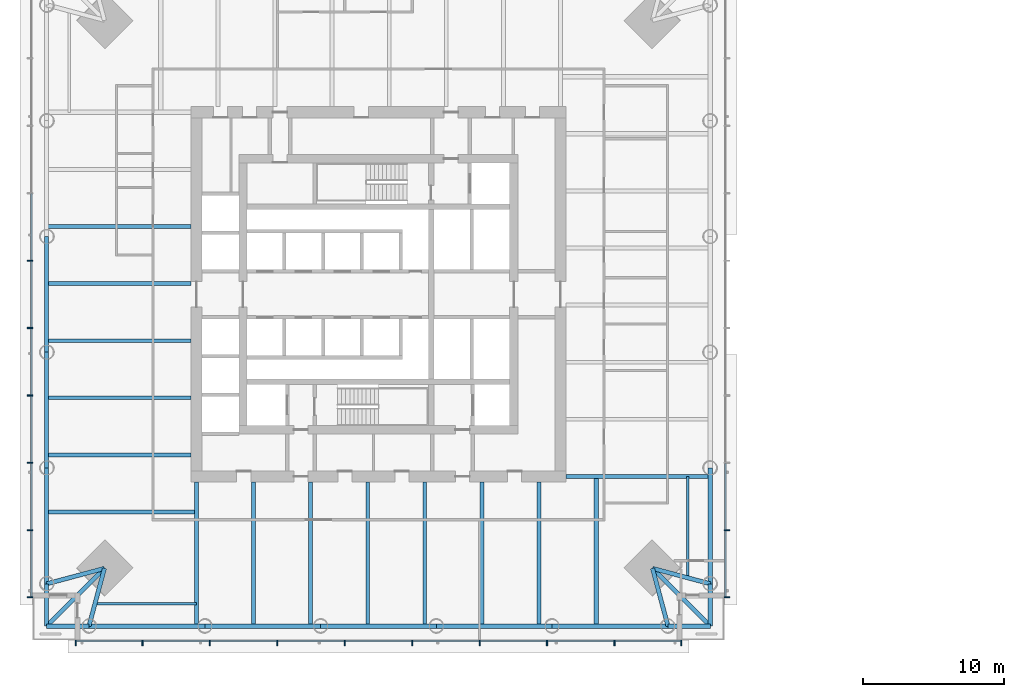
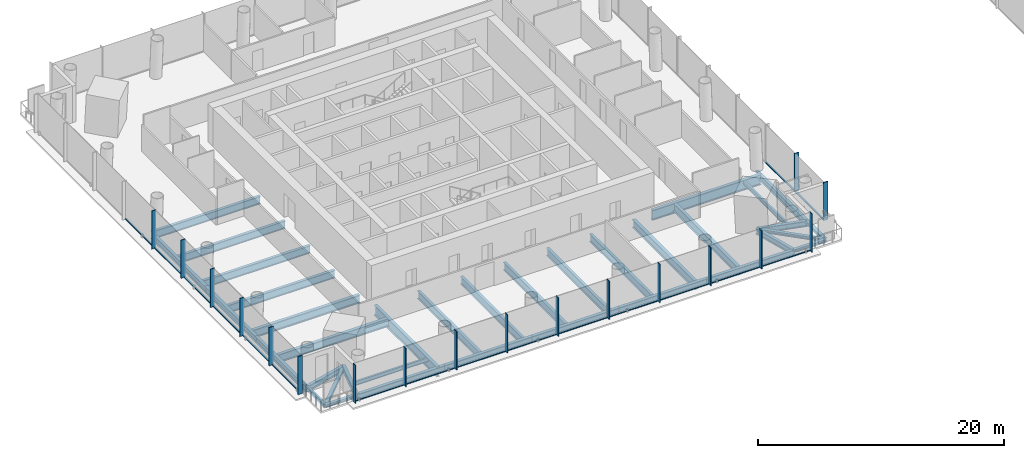
# One storey, part 2 of 26: 36 beams, 35 members, 3 elements without a shape of their own.
"""IFC4 building model written with IfcOpenShell, lengths in metres."""

from ifc_helpers import new_model, si_unit, direction, frame, origin, origin_2d, place, context, subcontext, project, spatial, rectangle, i_section, extrude, material, material_profile, profile_set, type_object, element, aggregate, save


model = new_model("IFC4")

# Units and contexts
model_context = context("Model", 3, precision=1e-05, world=origin(), true_north=direction((0.0, 1.0)))
body_context = subcontext(model_context, "Body", "Model", "MODEL_VIEW")
ifc_project = project(units=[si_unit("LENGTHUNIT", "METRE"), si_unit("AREAUNIT", "SQUARE_METRE"), si_unit("VOLUMEUNIT", "CUBIC_METRE"), si_unit("PLANEANGLEUNIT", "RADIAN"), si_unit("MASSUNIT", "GRAM", prefix="KILO")], contexts=[model_context])

# Site, building, storey
site_placement = place(None, origin())
site = spatial("IfcSite", under=ifc_project, at=site_placement, CompositionType="ELEMENT")
building_placement = place(site_placement, origin())
building = spatial("IfcBuilding", under=site, at=building_placement, Name="Ostroluk Exchange", CompositionType="ELEMENT")
storey_placement = place(building_placement, frame((0.0, 0.0, 36.199951171875)))
storey = spatial("IfcBuildingStorey", under=building, at=storey_placement, Name="L08", CompositionType="ELEMENT", Elevation=36.199951171875)

# Beams
ifc_material_1 = material(Name="Steel S355", Category="steel")
ifc_material_profile_1 = material_profile(ifc_material_1, i_section(OverallWidth=0.300048828125, OverallDepth=0.300048828125, WebThickness=0.010986328125, FlangeThickness=0.01904296875, FilletRadius=0.027099609375, at=origin_2d()), Name="HEB 300")
ifc_profile_set_1 = profile_set([ifc_material_profile_1], Name="Steel S355")
beam_type_1 = type_object("IfcBeamType", Name="Balcony beam HEB 300", PredefinedType="BEAM", material=ifc_profile_set_1)
for number, where, z_axis, x_axis, name in (
    (1, (21.485595703125, 25.485595703125, -0.329833984375), (0.0, -1.0, 0.0), (1.0, 0.0, 0.0), "T1 west balcony beam a"),
    (2, (24.485595703125, 22.485595703125, -0.329833984375), (-1.0, 0.0, 0.0), (0.0, -1.0, 0.0), "T1 west balcony beam b"),
):
    element("IfcBeam", number, at=place(storey_placement, frame(where, z_axis=z_axis, x_axis=x_axis)), inside=storey, type_object=beam_type_1, Name=name, PredefinedType="BEAM", context=body_context, shape_type="SweptSolid", body=[
        extrude(i_section(OverallWidth=0.300048828125, OverallDepth=0.300048828125, WebThickness=0.010986328125, FlangeThickness=0.01904296875, FilletRadius=0.027099609375, at=origin_2d()), origin(), (0.0, 0.0, 1.0), 3.0),
    ])
beam_1_placement = place(storey_placement, frame((25.585693359375, 26.585693359375, -0.329833984375), z_axis=(-0.707106781187, -0.707106781187, 0.0), x_axis=(0.707106781187, -0.707106781187, 0.0)))
element("IfcBeam", 3, at=beam_1_placement, inside=storey, type_object=beam_type_1, Name="T1 west balcony beam c", PredefinedType="BEAM", context=body_context, shape_type="SweptSolid", body=[
    extrude(i_section(OverallWidth=0.300048828125, OverallDepth=0.300048828125, WebThickness=0.010986328125, FlangeThickness=0.01904296875, FilletRadius=0.027099609375, at=origin_2d()), origin(), (0.0, 0.0, 1.0), 5.79833984375),
])
for number, where, z_axis, x_axis, name in (
    (4, (65.514404296875, 22.485595703125, -0.329833984375), (1.0, 0.0, 0.0), (0.0, 1.0, 0.0), "T1 south balcony beam a"),
    (5, (68.514404296875, 25.485595703125, -0.329833984375), (0.0, -1.0, 0.0), (1.0, 0.0, 0.0), "T1 south balcony beam b"),
):
    element("IfcBeam", number, at=place(storey_placement, frame(where, z_axis=z_axis, x_axis=x_axis)), inside=storey, type_object=beam_type_1, Name=name, PredefinedType="BEAM", context=body_context, shape_type="SweptSolid", body=[
        extrude(i_section(OverallWidth=0.300048828125, OverallDepth=0.300048828125, WebThickness=0.010986328125, FlangeThickness=0.01904296875, FilletRadius=0.027099609375, at=origin_2d()), origin(), (0.0, 0.0, 1.0), 3.0),
    ])
beam_2_placement = place(storey_placement, frame((64.414306640625, 26.585693359375, -0.329833984375), z_axis=(0.707106781187, -0.707106781187, 0.0), x_axis=(0.707106781187, 0.707106781187, 0.0)))
element("IfcBeam", 6, at=beam_2_placement, inside=storey, type_object=beam_type_1, Name="T1 south balcony beam c", PredefinedType="BEAM", context=body_context, shape_type="SweptSolid", body=[
    extrude(i_section(OverallWidth=0.300048828125, OverallDepth=0.300048828125, WebThickness=0.010986328125, FlangeThickness=0.01904296875, FilletRadius=0.027099609375, at=origin_2d()), origin(), (0.0, 0.0, 1.0), 5.79833984375),
])
ifc_material_2 = material(Name="Steel S355", Category="steel")
ifc_material_profile_2 = material_profile(ifc_material_2, i_section(OverallWidth=0.300048828125, OverallDepth=0.550048828125, WebThickness=0.014892578125, FlangeThickness=0.029052734375, FilletRadius=0.027099609375, at=origin_2d()), Name="HEB 550")
ifc_profile_set_2 = profile_set([ifc_material_profile_2], Name="Steel S355")
beam_type_2 = type_object("IfcBeamType", Name="Corner edge beam HEB 550", PredefinedType="SPANDREL", material=ifc_profile_set_2)
for number, where, z_axis, x_axis, name in (
    (7, (25.585693359375, 26.585693359375, -0.454833984375), (-0.965838624319, -0.259144268261, 0.0), (0.259144268261, -0.965838624319, 0.0), "T1 west corner edge beam a"),
    (8, (25.585693359375, 26.585693359375, -0.454833984375), (-0.259144268261, -0.965838624319, 0.0), (0.965838624319, -0.259144268261, 0.0), "T1 west corner edge beam b"),
    (9, (64.414306640625, 26.585693359375, -0.454833984375), (0.259144268261, -0.965838624319, 0.0), (0.965838624319, 0.259144268261, 0.0), "T1 south corner edge beam a"),
    (10, (64.414306640625, 26.585693359375, -0.454833984375), (0.965838624319, -0.259144268261, 0.0), (0.259144268261, 0.965838624319, 0.0), "T1 south corner edge beam b"),
):
    element("IfcBeam", number, at=place(storey_placement, frame(where, z_axis=z_axis, x_axis=x_axis)), inside=storey, type_object=beam_type_2, Name=name, PredefinedType="SPANDREL", context=body_context, shape_type="SweptSolid", body=[
        extrude(i_section(OverallWidth=0.300048828125, OverallDepth=0.550048828125, WebThickness=0.014892578125, FlangeThickness=0.029052734375, FilletRadius=0.027099609375, at=origin_2d()), origin(), (0.0, 0.0, 1.0), 4.2451171875),
    ])
ifc_material_3 = material(Name="Steel S355", Category="steel")
ifc_material_profile_3 = material_profile(ifc_material_3, i_section(OverallWidth=0.302978515625, OverallDepth=0.81396484375, WebThickness=0.02099609375, FlangeThickness=0.0400390625, FilletRadius=0.030029296875, at=origin_2d()), Name="HEM 800")
ifc_profile_set_3 = profile_set([ifc_material_profile_3], Name="Steel S355")
beam_type_3 = type_object("IfcBeamType", Name="Floor beam HEM 800", PredefinedType="BEAM", material=ifc_profile_set_3)
beam_3_placement = place(storey_placement, frame((31.699951171875, 34.623779296875, -0.5869140625), z_axis=(-1.0, 0.0, 0.0), x_axis=(0.0, -1.0, 0.0)))
element("IfcBeam", 11, at=beam_3_placement, inside=storey, type_object=beam_type_3, Name="T1 west floor beam 6", PredefinedType="BEAM", context=body_context, shape_type="SweptSolid", body=[
    extrude(i_section(OverallWidth=0.302978515625, OverallDepth=0.81396484375, WebThickness=0.02099609375, FlangeThickness=0.0400390625, FilletRadius=0.030029296875, at=origin_2d()), origin(), (0.0, 0.0, 1.0), 10.21435546875),
])
beam_4_placement = place(storey_placement, frame((32.10009765625, 30.577880859375, -0.5869140625), z_axis=(-1.0, 0.0, 0.0), x_axis=(0.0, -1.0, 0.0)))
element("IfcBeam", 12, at=beam_4_placement, inside=storey, type_object=beam_type_3, Name="T1 west floor beam 7", PredefinedType="BEAM", context=body_context, shape_type="SweptSolid", body=[
    extrude(i_section(OverallWidth=0.302978515625, OverallDepth=0.81396484375, WebThickness=0.02099609375, FlangeThickness=0.0400390625, FilletRadius=0.030029296875, at=origin_2d()), origin(), (0.0, 0.0, 1.0), 10.614501953125),
])
beam_5_placement = place(storey_placement, frame((56.376220703125, 32.699951171875, -0.5869140625), z_axis=(0.0, -1.0, 0.0), x_axis=(1.0, 0.0, 0.0)))
element("IfcBeam", 13, at=beam_5_placement, inside=storey, type_object=beam_type_3, Name="T1 south floor beam 6", PredefinedType="BEAM", context=body_context, shape_type="SweptSolid", body=[
    extrude(i_section(OverallWidth=0.302978515625, OverallDepth=0.81396484375, WebThickness=0.02099609375, FlangeThickness=0.0400390625, FilletRadius=0.030029296875, at=origin_2d()), origin(), (0.0, 0.0, 1.0), 10.21435546875),
])
beam_6_placement = place(storey_placement, frame((60.422119140625, 33.10009765625, -0.5869140625), z_axis=(0.0, -1.0, 0.0), x_axis=(1.0, 0.0, 0.0)))
element("IfcBeam", 14, at=beam_6_placement, inside=storey, type_object=beam_type_3, Name="T1 south floor beam 7", PredefinedType="BEAM", context=body_context, shape_type="SweptSolid", body=[
    extrude(i_section(OverallWidth=0.302978515625, OverallDepth=0.81396484375, WebThickness=0.02099609375, FlangeThickness=0.0400390625, FilletRadius=0.030029296875, at=origin_2d()), origin(), (0.0, 0.0, 1.0), 10.614501953125),
])
ifc_material_4 = material(Name="Steel S355", Category="steel")
ifc_material_profile_4 = material_profile(ifc_material_4, i_section(OverallWidth=0.179931640625, OverallDepth=0.39990234375, WebThickness=0.008544921875, FlangeThickness=0.013427734375, FilletRadius=0.02099609375, at=origin_2d()), Name="IPE 400")
ifc_profile_set_4 = profile_set([ifc_material_profile_4], Name="Steel S355")
beam_type_4 = type_object("IfcBeamType", Name="Floor beam IPE 400", PredefinedType="BEAM", material=ifc_profile_set_4)
for number, where, z_axis, x_axis, name in (
    (15, (32.10009765625, 24.085693359375, -0.3798828125), (-1.0, 0.0, 0.0), (0.0, -1.0, 0.0), "T1 west floor beam 8"),
    (16, (66.914306640625, 33.10009765625, -0.3798828125), (0.0, -1.0, 0.0), (1.0, 0.0, 0.0), "T1 south floor beam 8"),
):
    element("IfcBeam", number, at=place(storey_placement, frame(where, z_axis=z_axis, x_axis=x_axis)), inside=storey, type_object=beam_type_4, Name=name, PredefinedType="BEAM", context=body_context, shape_type="SweptSolid", body=[
        extrude(i_section(OverallWidth=0.179931640625, OverallDepth=0.39990234375, WebThickness=0.008544921875, FlangeThickness=0.013427734375, FilletRadius=0.02099609375, at=origin_2d()), origin(), (0.0, 0.0, 1.0), 7.18505859375),
    ])
ifc_material_5 = material(Name="Steel S355", Category="steel")
ifc_material_profile_5 = material_profile(ifc_material_5, i_section(OverallWidth=0.26806640625, OverallDepth=0.77001953125, WebThickness=0.015625, FlangeThickness=0.025390625, FilletRadius=0.01708984375, at=origin_2d()), Name="IPE 750x196")
ifc_profile_set_5 = profile_set([ifc_material_profile_5], Name="Steel S355")
beam_type_5 = type_object("IfcBeamType", Name="Floor beam IPE 750x196", PredefinedType="BEAM", material=ifc_profile_set_5)
for number, where, z_axis, x_axis, name in (
    (17, (31.699951171875, 50.807861328125, -0.56494140625), (-1.0, 0.0, 0.0), (0.0, -1.0, 0.0), "T1 west floor beam 2"),
    (18, (31.699951171875, 46.761962890625, -0.56494140625), (-1.0, 0.0, 0.0), (0.0, -1.0, 0.0), "T1 west floor beam 3"),
    (19, (31.699951171875, 42.7158203125, -0.56494140625), (-1.0, 0.0, 0.0), (0.0, -1.0, 0.0), "T1 west floor beam 4"),
    (20, (31.699951171875, 38.669921875, -0.56494140625), (-1.0, 0.0, 0.0), (0.0, -1.0, 0.0), "T1 west floor beam 5"),
    (21, (36.14599609375, 32.699951171875, -0.56494140625), (0.0, -1.0, 0.0), (1.0, 0.0, 0.0), "T1 south floor beam 1"),
    (22, (40.192138671875, 32.699951171875, -0.56494140625), (0.0, -1.0, 0.0), (1.0, 0.0, 0.0), "T1 south floor beam 2"),
    (23, (44.238037109375, 32.699951171875, -0.56494140625), (0.0, -1.0, 0.0), (1.0, 0.0, 0.0), "T1 south floor beam 3"),
    (24, (48.2841796875, 32.699951171875, -0.56494140625), (0.0, -1.0, 0.0), (1.0, 0.0, 0.0), "T1 south floor beam 4"),
    (25, (52.330078125, 32.699951171875, -0.56494140625), (0.0, -1.0, 0.0), (1.0, 0.0, 0.0), "T1 south floor beam 5"),
):
    element("IfcBeam", number, at=place(storey_placement, frame(where, z_axis=z_axis, x_axis=x_axis)), inside=storey, type_object=beam_type_5, Name=name, PredefinedType="BEAM", context=body_context, shape_type="SweptSolid", body=[
        extrude(i_section(OverallWidth=0.26806640625, OverallDepth=0.77001953125, WebThickness=0.015625, FlangeThickness=0.025390625, FilletRadius=0.01708984375, at=origin_2d()), origin(), (0.0, 0.0, 1.0), 10.21435546875),
    ])
ifc_material_6 = material(Name="Steel S355", Category="steel")
ifc_material_profile_6 = material_profile(ifc_material_6, i_section(OverallWidth=0.302001953125, OverallDepth=1.008056640625, WebThickness=0.02099609375, FlangeThickness=0.0400390625, FilletRadius=0.030029296875, at=origin_2d()), Name="HEM 1000")
ifc_profile_set_6 = profile_set([ifc_material_profile_6], Name="Steel S355")
beam_type_6 = type_object("IfcBeamType", Name="Girder HEM 1000", PredefinedType="BEAM", material=ifc_profile_set_6)
for number, where, z_axis, x_axis, name in (
    (26, (32.10009765625, 32.699951171875, -0.683837890625), (0.0, -1.0, 0.0), (1.0, 0.0, 0.0), "T1 west girder"),
    (27, (58.300048828125, 33.10009765625, -0.683837890625), (1.0, 0.0, 0.0), (0.0, 1.0, 0.0), "T1 south girder"),
):
    element("IfcBeam", number, at=place(storey_placement, frame(where, z_axis=z_axis, x_axis=x_axis)), inside=storey, type_object=beam_type_6, Name=name, PredefinedType="BEAM", context=body_context, shape_type="SweptSolid", body=[
        extrude(i_section(OverallWidth=0.302001953125, OverallDepth=1.008056640625, WebThickness=0.02099609375, FlangeThickness=0.0400390625, FilletRadius=0.030029296875, at=origin_2d()), origin(), (0.0, 0.0, 1.0), 10.21435546875),
    ])
ifc_material_7 = material(Name="Steel S355", Category="steel")
ifc_material_profile_7 = material_profile(ifc_material_7, i_section(OverallWidth=0.300048828125, OverallDepth=0.60009765625, WebThickness=0.015380859375, FlangeThickness=0.030029296875, FilletRadius=0.027099609375, at=origin_2d()), Name="HEB 600")
ifc_profile_set_7 = profile_set([ifc_material_profile_7], Name="Steel S355")
beam_type_7 = type_object("IfcBeamType", Name="Moment-connected edge beam HEB 600", PredefinedType="SPANDREL", material=ifc_profile_set_7)
beam_7_placement = place(storey_placement, frame((68.514404296875, 25.485595703125, -0.47998046875), z_axis=(0.0, 1.0, 0.0), x_axis=(-1.0, 0.0, 0.0)))
element("IfcBeam", 28, at=beam_7_placement, inside=storey, type_object=beam_type_7, Name="T1 east edge beam 1", PredefinedType="SPANDREL", context=body_context, shape_type="SweptSolid", body=[
    extrude(i_section(OverallWidth=0.300048828125, OverallDepth=0.60009765625, WebThickness=0.015380859375, FlangeThickness=0.030029296875, FilletRadius=0.027099609375, at=origin_2d()), origin(), (0.0, 0.0, 1.0), 8.205810546875),
])
beam_8_placement = place(storey_placement, frame((21.485595703125, 50.102783203125, -0.47998046875), z_axis=(0.0, -1.0, 0.0), x_axis=(1.0, 0.0, 0.0)))
element("IfcBeam", 29, at=beam_8_placement, inside=storey, type_object=beam_type_7, Name="T1 west edge beam 3", PredefinedType="SPANDREL", context=body_context, shape_type="SweptSolid", body=[
    extrude(i_section(OverallWidth=0.300048828125, OverallDepth=0.60009765625, WebThickness=0.015380859375, FlangeThickness=0.030029296875, FilletRadius=0.027099609375, at=origin_2d()), origin(), (0.0, 0.0, 1.0), 8.20556640625),
])
for number, where, z_axis, x_axis, name in (
    (30, (21.485595703125, 41.897216796875, -0.47998046875), (0.0, -1.0, 0.0), (1.0, 0.0, 0.0), "T1 west edge beam 4"),
    (31, (21.485595703125, 33.69140625, -0.47998046875), (0.0, -1.0, 0.0), (1.0, 0.0, 0.0), "T1 west edge beam 5"),
    (32, (24.485595703125, 22.485595703125, -0.47998046875), (1.0, 0.0, 0.0), (0.0, 1.0, 0.0), "T1 south edge beam 1"),
    (33, (32.69140625, 22.485595703125, -0.47998046875), (1.0, 0.0, 0.0), (0.0, 1.0, 0.0), "T1 south edge beam 2"),
):
    element("IfcBeam", number, at=place(storey_placement, frame(where, z_axis=z_axis, x_axis=x_axis)), inside=storey, type_object=beam_type_7, Name=name, PredefinedType="SPANDREL", context=body_context, shape_type="SweptSolid", body=[
        extrude(i_section(OverallWidth=0.300048828125, OverallDepth=0.60009765625, WebThickness=0.015380859375, FlangeThickness=0.030029296875, FilletRadius=0.027099609375, at=origin_2d()), origin(), (0.0, 0.0, 1.0), 8.205810546875),
    ])
beam_9_placement = place(storey_placement, frame((40.897216796875, 22.485595703125, -0.47998046875), z_axis=(1.0, 0.0, 0.0), x_axis=(0.0, 1.0, 0.0)))
element("IfcBeam", 34, at=beam_9_placement, inside=storey, type_object=beam_type_7, Name="T1 south edge beam 3", PredefinedType="SPANDREL", context=body_context, shape_type="SweptSolid", body=[
    extrude(i_section(OverallWidth=0.300048828125, OverallDepth=0.60009765625, WebThickness=0.015380859375, FlangeThickness=0.030029296875, FilletRadius=0.027099609375, at=origin_2d()), origin(), (0.0, 0.0, 1.0), 8.20556640625),
])
for number, where, z_axis, x_axis, name in (
    (35, (49.102783203125, 22.485595703125, -0.47998046875), (1.0, 0.0, 0.0), (0.0, 1.0, 0.0), "T1 south edge beam 4"),
    (36, (57.30859375, 22.485595703125, -0.47998046875), (1.0, 0.0, 0.0), (0.0, 1.0, 0.0), "T1 south edge beam 5"),
):
    element("IfcBeam", number, at=place(storey_placement, frame(where, z_axis=z_axis, x_axis=x_axis)), inside=storey, type_object=beam_type_7, Name=name, PredefinedType="SPANDREL", context=body_context, shape_type="SweptSolid", body=[
        extrude(i_section(OverallWidth=0.300048828125, OverallDepth=0.60009765625, WebThickness=0.015380859375, FlangeThickness=0.030029296875, FilletRadius=0.027099609375, at=origin_2d()), origin(), (0.0, 0.0, 1.0), 8.205810546875),
    ])

# Curtain wall, members
ifc_material_8 = material(Name="Laminated clear glass", Category="glass")
curtain_wall_type = type_object("IfcCurtainWallType", Name="Office tower facade", PredefinedType="USERDEFINED", material=ifc_material_8)
curtain_wall_1_placement = place(storey_placement, origin())
curtain_wall_1 = element("IfcCurtainWall", 37, at=curtain_wall_1_placement, inside=storey, type_object=curtain_wall_type, Name="Office tower south facade L08", ObjectType="UNITISED CURTAIN WALL", PredefinedType="USERDEFINED")
ifc_material_9 = material(Name="Aluminium mullion", Category="aluminium")
ifc_material_profile_8 = material_profile(ifc_material_9, rectangle(XDim=0.14990234375, YDim=0.080078125, at=origin_2d()), Name="Sill transom 80 x 150")
ifc_profile_set_8 = profile_set([ifc_material_profile_8], Name="Aluminium mullion")
member_type_1 = type_object("IfcMemberType", Name="Sill transom 80 x 150", PredefinedType="USERDEFINED", material=ifc_profile_set_8)
member_1_placement = place(storey_placement, frame((23.580078125, 21.425048828125, 0.0400390625), z_axis=(1.0, 0.0, 0.0), x_axis=(0.0, 1.0, 0.0)))
member_1 = element("IfcMember", 38, at=member_1_placement, type_object=member_type_1, Name="CW-O1 transom 1.1", ObjectType="TRANSOM", PredefinedType="USERDEFINED", context=body_context, shape_type="SweptSolid", body=[
    extrude(rectangle(XDim=0.14990234375, YDim=0.080078125, at=origin_2d()), origin(), (0.0, 0.0, 1.0), 4.65771484375),
])
member_2_placement = place(storey_placement, frame((28.31787109375, 21.425048828125, 0.0400390625), z_axis=(1.0, 0.0, 0.0), x_axis=(0.0, 1.0, 0.0)))
member_2 = element("IfcMember", 39, at=member_2_placement, type_object=member_type_1, Name="CW-O1 transom 2.1", ObjectType="TRANSOM", PredefinedType="USERDEFINED", context=body_context, shape_type="SweptSolid", body=[
    extrude(rectangle(XDim=0.14990234375, YDim=0.080078125, at=origin_2d()), origin(), (0.0, 0.0, 1.0), 4.69775390625),
])
member_3_placement = place(storey_placement, frame((33.095458984375, 21.425048828125, 0.0400390625), z_axis=(1.0, 0.0, 0.0), x_axis=(0.0, 1.0, 0.0)))
member_3 = element("IfcMember", 40, at=member_3_placement, type_object=member_type_1, Name="CW-O1 transom 3.1", ObjectType="TRANSOM", PredefinedType="USERDEFINED", context=body_context, shape_type="SweptSolid", body=[
    extrude(rectangle(XDim=0.14990234375, YDim=0.080078125, at=origin_2d()), origin(), (0.0, 0.0, 1.0), 4.69775390625),
])
member_4_placement = place(storey_placement, frame((37.873291015625, 21.425048828125, 0.0400390625), z_axis=(1.0, 0.0, 0.0), x_axis=(0.0, 1.0, 0.0)))
member_4 = element("IfcMember", 41, at=member_4_placement, type_object=member_type_1, Name="CW-O1 transom 4.1", ObjectType="TRANSOM", PredefinedType="USERDEFINED", context=body_context, shape_type="SweptSolid", body=[
    extrude(rectangle(XDim=0.14990234375, YDim=0.080078125, at=origin_2d()), origin(), (0.0, 0.0, 1.0), 4.69775390625),
])
member_5_placement = place(storey_placement, frame((42.651123046875, 21.425048828125, 0.0400390625), z_axis=(1.0, 0.0, 0.0), x_axis=(0.0, 1.0, 0.0)))
member_5 = element("IfcMember", 42, at=member_5_placement, type_object=member_type_1, Name="CW-O1 transom 5.1", ObjectType="TRANSOM", PredefinedType="USERDEFINED", context=body_context, shape_type="SweptSolid", body=[
    extrude(rectangle(XDim=0.14990234375, YDim=0.080078125, at=origin_2d()), origin(), (0.0, 0.0, 1.0), 4.69775390625),
])
member_6_placement = place(storey_placement, frame((47.428955078125, 21.425048828125, 0.0400390625), z_axis=(1.0, 0.0, 0.0), x_axis=(0.0, 1.0, 0.0)))
member_6 = element("IfcMember", 43, at=member_6_placement, type_object=member_type_1, Name="CW-O1 transom 6.1", ObjectType="TRANSOM", PredefinedType="USERDEFINED", context=body_context, shape_type="SweptSolid", body=[
    extrude(rectangle(XDim=0.14990234375, YDim=0.080078125, at=origin_2d()), origin(), (0.0, 0.0, 1.0), 4.69775390625),
])
member_7_placement = place(storey_placement, frame((52.206787109375, 21.425048828125, 0.0400390625), z_axis=(1.0, 0.0, 0.0), x_axis=(0.0, 1.0, 0.0)))
member_7 = element("IfcMember", 44, at=member_7_placement, type_object=member_type_1, Name="CW-O1 transom 7.1", ObjectType="TRANSOM", PredefinedType="USERDEFINED", context=body_context, shape_type="SweptSolid", body=[
    extrude(rectangle(XDim=0.14990234375, YDim=0.080078125, at=origin_2d()), origin(), (0.0, 0.0, 1.0), 4.69775390625),
])
member_8_placement = place(storey_placement, frame((56.984375, 21.425048828125, 0.0400390625), z_axis=(1.0, 0.0, 0.0), x_axis=(0.0, 1.0, 0.0)))
member_8 = element("IfcMember", 45, at=member_8_placement, type_object=member_type_1, Name="CW-O1 transom 8.1", ObjectType="TRANSOM", PredefinedType="USERDEFINED", context=body_context, shape_type="SweptSolid", body=[
    extrude(rectangle(XDim=0.14990234375, YDim=0.080078125, at=origin_2d()), origin(), (0.0, 0.0, 1.0), 4.69775390625),
])
member_9_placement = place(storey_placement, frame((61.76220703125, 21.425048828125, 0.0400390625), z_axis=(1.0, 0.0, 0.0), x_axis=(0.0, 1.0, 0.0)))
member_9 = element("IfcMember", 46, at=member_9_placement, type_object=member_type_1, Name="CW-O1 transom 9.1", ObjectType="TRANSOM", PredefinedType="USERDEFINED", context=body_context, shape_type="SweptSolid", body=[
    extrude(rectangle(XDim=0.14990234375, YDim=0.080078125, at=origin_2d()), origin(), (0.0, 0.0, 1.0), 4.65771484375),
])

curtain_wall_2_placement = place(storey_placement, origin())
curtain_wall_2 = element("IfcCurtainWall", 47, at=curtain_wall_2_placement, inside=storey, type_object=curtain_wall_type, Name="Office tower east facade L08", ObjectType="UNITISED CURTAIN WALL", PredefinedType="USERDEFINED")
member_10_placement = place(storey_placement, frame((69.574951171875, 24.580078125, 0.0400390625), z_axis=(0.0, 1.0, 0.0), x_axis=(-1.0, 0.0, 0.0)))
member_10 = element("IfcMember", 48, at=member_10_placement, type_object=member_type_1, Name="CW-O1 transom 1.1", ObjectType="TRANSOM", PredefinedType="USERDEFINED", context=body_context, shape_type="SweptSolid", body=[
    extrude(rectangle(XDim=0.14990234375, YDim=0.080078125, at=origin_2d()), origin(), (0.0, 0.0, 1.0), 4.65771484375),
])
member_11_placement = place(storey_placement, frame((69.574951171875, 29.31787109375, 0.0400390625), z_axis=(0.0, 1.0, 0.0), x_axis=(-1.0, 0.0, 0.0)))
member_11 = element("IfcMember", 49, at=member_11_placement, type_object=member_type_1, Name="CW-O1 transom 2.1", ObjectType="TRANSOM", PredefinedType="USERDEFINED", context=body_context, shape_type="SweptSolid", body=[
    extrude(rectangle(XDim=0.14990234375, YDim=0.080078125, at=origin_2d()), origin(), (0.0, 0.0, 1.0), 4.69775390625),
])

curtain_wall_3_placement = place(storey_placement, origin())
curtain_wall_3 = element("IfcCurtainWall", 50, at=curtain_wall_3_placement, inside=storey, type_object=curtain_wall_type, Name="Office tower west facade L08", ObjectType="UNITISED CURTAIN WALL", PredefinedType="USERDEFINED")
member_12_placement = place(storey_placement, frame((20.425048828125, 53.126708984375, 0.0400390625), z_axis=(0.0, -1.0, 0.0), x_axis=(1.0, 0.0, 0.0)))
member_12 = element("IfcMember", 51, at=member_12_placement, type_object=member_type_1, Name="CW-O1 transom 4.1", ObjectType="TRANSOM", PredefinedType="USERDEFINED", context=body_context, shape_type="SweptSolid", body=[
    extrude(rectangle(XDim=0.14990234375, YDim=0.080078125, at=origin_2d()), origin(), (0.0, 0.0, 1.0), 4.69775390625),
])
member_13_placement = place(storey_placement, frame((20.425048828125, 48.348876953125, 0.0400390625), z_axis=(0.0, -1.0, 0.0), x_axis=(1.0, 0.0, 0.0)))
member_13 = element("IfcMember", 52, at=member_13_placement, type_object=member_type_1, Name="CW-O1 transom 5.1", ObjectType="TRANSOM", PredefinedType="USERDEFINED", context=body_context, shape_type="SweptSolid", body=[
    extrude(rectangle(XDim=0.14990234375, YDim=0.080078125, at=origin_2d()), origin(), (0.0, 0.0, 1.0), 4.69775390625),
])
member_14_placement = place(storey_placement, frame((20.425048828125, 43.571044921875, 0.0400390625), z_axis=(0.0, -1.0, 0.0), x_axis=(1.0, 0.0, 0.0)))
member_14 = element("IfcMember", 53, at=member_14_placement, type_object=member_type_1, Name="CW-O1 transom 6.1", ObjectType="TRANSOM", PredefinedType="USERDEFINED", context=body_context, shape_type="SweptSolid", body=[
    extrude(rectangle(XDim=0.14990234375, YDim=0.080078125, at=origin_2d()), origin(), (0.0, 0.0, 1.0), 4.69775390625),
])
member_15_placement = place(storey_placement, frame((20.425048828125, 38.793212890625, 0.0400390625), z_axis=(0.0, -1.0, 0.0), x_axis=(1.0, 0.0, 0.0)))
member_15 = element("IfcMember", 54, at=member_15_placement, type_object=member_type_1, Name="CW-O1 transom 7.1", ObjectType="TRANSOM", PredefinedType="USERDEFINED", context=body_context, shape_type="SweptSolid", body=[
    extrude(rectangle(XDim=0.14990234375, YDim=0.080078125, at=origin_2d()), origin(), (0.0, 0.0, 1.0), 4.69775390625),
])
member_16_placement = place(storey_placement, frame((20.425048828125, 34.015625, 0.0400390625), z_axis=(0.0, -1.0, 0.0), x_axis=(1.0, 0.0, 0.0)))
member_16 = element("IfcMember", 55, at=member_16_placement, type_object=member_type_1, Name="CW-O1 transom 8.1", ObjectType="TRANSOM", PredefinedType="USERDEFINED", context=body_context, shape_type="SweptSolid", body=[
    extrude(rectangle(XDim=0.14990234375, YDim=0.080078125, at=origin_2d()), origin(), (0.0, 0.0, 1.0), 4.69775390625),
])
member_17_placement = place(storey_placement, frame((20.425048828125, 29.23779296875, 0.0400390625), z_axis=(0.0, -1.0, 0.0), x_axis=(1.0, 0.0, 0.0)))
member_17 = element("IfcMember", 56, at=member_17_placement, type_object=member_type_1, Name="CW-O1 transom 9.1", ObjectType="TRANSOM", PredefinedType="USERDEFINED", context=body_context, shape_type="SweptSolid", body=[
    extrude(rectangle(XDim=0.14990234375, YDim=0.080078125, at=origin_2d()), origin(), (0.0, 0.0, 1.0), 4.65771484375),
])

# Member
ifc_material_10 = material(Name="Aluminium mullion with limestone facing", Category="masonry")
ifc_material_profile_9 = material_profile(ifc_material_10, rectangle(XDim=0.39990234375, YDim=0.080078125, at=origin_2d()), Name="Tracery mullion 80 x 400")
ifc_profile_set_9 = profile_set([ifc_material_profile_9], Name="Aluminium mullion with limestone facing")
member_type_2 = type_object("IfcMemberType", Name="Tracery mullion 80 x 400", PredefinedType="MULLION", material=ifc_profile_set_9)
member_18_placement = place(storey_placement, frame((23.5400390625, 21.300048828125, 0.0), z_axis=(0.0, 0.0, 1.0), x_axis=(0.0, 1.0, 0.0)))
member_18 = element("IfcMember", 57, at=member_18_placement, type_object=member_type_2, Name="CW-O1 mullion 1", PredefinedType="MULLION", context=body_context, shape_type="SweptSolid", body=[
    extrude(rectangle(XDim=0.39990234375, YDim=0.080078125, at=origin_2d()), origin(), (0.0, 0.0, 1.0), 3.800048828125),
])

member_19_placement = place(storey_placement, frame((28.27783203125, 21.300048828125, 0.0), z_axis=(0.0, 0.0, 1.0), x_axis=(0.0, 1.0, 0.0)))
member_19 = element("IfcMember", 58, at=member_19_placement, type_object=member_type_2, Name="CW-O1 mullion 2", PredefinedType="MULLION", context=body_context, shape_type="SweptSolid", body=[
    extrude(rectangle(XDim=0.39990234375, YDim=0.080078125, at=origin_2d()), origin(), (0.0, 0.0, 1.0), 3.800048828125),
])

member_20_placement = place(storey_placement, frame((33.0556640625, 21.300048828125, 0.0), z_axis=(0.0, 0.0, 1.0), x_axis=(0.0, 1.0, 0.0)))
member_20 = element("IfcMember", 59, at=member_20_placement, type_object=member_type_2, Name="CW-O1 mullion 3", PredefinedType="MULLION", context=body_context, shape_type="SweptSolid", body=[
    extrude(rectangle(XDim=0.39990234375, YDim=0.080078125, at=origin_2d()), origin(), (0.0, 0.0, 1.0), 3.800048828125),
])

member_21_placement = place(storey_placement, frame((37.833251953125, 21.300048828125, 0.0), z_axis=(0.0, 0.0, 1.0), x_axis=(0.0, 1.0, 0.0)))
member_21 = element("IfcMember", 60, at=member_21_placement, type_object=member_type_2, Name="CW-O1 mullion 4", PredefinedType="MULLION", context=body_context, shape_type="SweptSolid", body=[
    extrude(rectangle(XDim=0.39990234375, YDim=0.080078125, at=origin_2d()), origin(), (0.0, 0.0, 1.0), 3.800048828125),
])

member_22_placement = place(storey_placement, frame((42.611083984375, 21.300048828125, 0.0), z_axis=(0.0, 0.0, 1.0), x_axis=(0.0, 1.0, 0.0)))
member_22 = element("IfcMember", 61, at=member_22_placement, type_object=member_type_2, Name="CW-O1 mullion 5", PredefinedType="MULLION", context=body_context, shape_type="SweptSolid", body=[
    extrude(rectangle(XDim=0.39990234375, YDim=0.080078125, at=origin_2d()), origin(), (0.0, 0.0, 1.0), 3.800048828125),
])

member_23_placement = place(storey_placement, frame((47.388916015625, 21.300048828125, 0.0), z_axis=(0.0, 0.0, 1.0), x_axis=(0.0, 1.0, 0.0)))
member_23 = element("IfcMember", 62, at=member_23_placement, type_object=member_type_2, Name="CW-O1 mullion 6", PredefinedType="MULLION", context=body_context, shape_type="SweptSolid", body=[
    extrude(rectangle(XDim=0.39990234375, YDim=0.080078125, at=origin_2d()), origin(), (0.0, 0.0, 1.0), 3.800048828125),
])

member_24_placement = place(storey_placement, frame((52.166748046875, 21.300048828125, 0.0), z_axis=(0.0, 0.0, 1.0), x_axis=(0.0, 1.0, 0.0)))
member_24 = element("IfcMember", 63, at=member_24_placement, type_object=member_type_2, Name="CW-O1 mullion 7", PredefinedType="MULLION", context=body_context, shape_type="SweptSolid", body=[
    extrude(rectangle(XDim=0.39990234375, YDim=0.080078125, at=origin_2d()), origin(), (0.0, 0.0, 1.0), 3.800048828125),
])

member_25_placement = place(storey_placement, frame((56.9443359375, 21.300048828125, 0.0), z_axis=(0.0, 0.0, 1.0), x_axis=(0.0, 1.0, 0.0)))
member_25 = element("IfcMember", 64, at=member_25_placement, type_object=member_type_2, Name="CW-O1 mullion 8", PredefinedType="MULLION", context=body_context, shape_type="SweptSolid", body=[
    extrude(rectangle(XDim=0.39990234375, YDim=0.080078125, at=origin_2d()), origin(), (0.0, 0.0, 1.0), 3.800048828125),
])

member_26_placement = place(storey_placement, frame((61.72216796875, 21.300048828125, 0.0), z_axis=(0.0, 0.0, 1.0), x_axis=(0.0, 1.0, 0.0)))
member_26 = element("IfcMember", 65, at=member_26_placement, type_object=member_type_2, Name="CW-O1 mullion 9", PredefinedType="MULLION", context=body_context, shape_type="SweptSolid", body=[
    extrude(rectangle(XDim=0.39990234375, YDim=0.080078125, at=origin_2d()), origin(), (0.0, 0.0, 1.0), 3.800048828125),
])

member_27_placement = place(storey_placement, frame((66.4599609375, 21.300048828125, 0.0), z_axis=(0.0, 0.0, 1.0), x_axis=(0.0, 1.0, 0.0)))
member_27 = element("IfcMember", 66, at=member_27_placement, type_object=member_type_2, Name="CW-O1 mullion 10", PredefinedType="MULLION", context=body_context, shape_type="SweptSolid", body=[
    extrude(rectangle(XDim=0.39990234375, YDim=0.080078125, at=origin_2d()), origin(), (0.0, 0.0, 1.0), 3.800048828125),
])

aggregate(curtain_wall_1, [member_18, member_19, member_20, member_21, member_22, member_23, member_24, member_25, member_26, member_27, member_1, member_2, member_3, member_4, member_5, member_6, member_7, member_8, member_9])

member_28_placement = place(storey_placement, frame((69.699951171875, 24.5400390625, 0.0), z_axis=(0.0, 0.0, 1.0), x_axis=(-1.0, 0.0, 0.0)))
member_28 = element("IfcMember", 67, at=member_28_placement, type_object=member_type_2, Name="CW-O1 mullion 1", PredefinedType="MULLION", context=body_context, shape_type="SweptSolid", body=[
    extrude(rectangle(XDim=0.39990234375, YDim=0.080078125, at=origin_2d()), origin(), (0.0, 0.0, 1.0), 3.800048828125),
])

member_29_placement = place(storey_placement, frame((69.699951171875, 29.27783203125, 0.0), z_axis=(0.0, 0.0, 1.0), x_axis=(-1.0, 0.0, 0.0)))
member_29 = element("IfcMember", 68, at=member_29_placement, type_object=member_type_2, Name="CW-O1 mullion 2", PredefinedType="MULLION", context=body_context, shape_type="SweptSolid", body=[
    extrude(rectangle(XDim=0.39990234375, YDim=0.080078125, at=origin_2d()), origin(), (0.0, 0.0, 1.0), 3.800048828125),
])

aggregate(curtain_wall_2, [member_28, member_29, member_10, member_11])

member_30_placement = place(storey_placement, frame((20.300048828125, 48.388916015625, 0.0), z_axis=(0.0, 0.0, 1.0), x_axis=(1.0, 0.0, 0.0)))
member_30 = element("IfcMember", 69, at=member_30_placement, type_object=member_type_2, Name="CW-O1 mullion 5", PredefinedType="MULLION", context=body_context, shape_type="SweptSolid", body=[
    extrude(rectangle(XDim=0.39990234375, YDim=0.080078125, at=origin_2d()), origin(), (0.0, 0.0, 1.0), 3.800048828125),
])

member_31_placement = place(storey_placement, frame((20.300048828125, 43.611083984375, 0.0), z_axis=(0.0, 0.0, 1.0), x_axis=(1.0, 0.0, 0.0)))
member_31 = element("IfcMember", 70, at=member_31_placement, type_object=member_type_2, Name="CW-O1 mullion 6", PredefinedType="MULLION", context=body_context, shape_type="SweptSolid", body=[
    extrude(rectangle(XDim=0.39990234375, YDim=0.080078125, at=origin_2d()), origin(), (0.0, 0.0, 1.0), 3.800048828125),
])

member_32_placement = place(storey_placement, frame((20.300048828125, 38.833251953125, 0.0), z_axis=(0.0, 0.0, 1.0), x_axis=(1.0, 0.0, 0.0)))
member_32 = element("IfcMember", 71, at=member_32_placement, type_object=member_type_2, Name="CW-O1 mullion 7", PredefinedType="MULLION", context=body_context, shape_type="SweptSolid", body=[
    extrude(rectangle(XDim=0.39990234375, YDim=0.080078125, at=origin_2d()), origin(), (0.0, 0.0, 1.0), 3.800048828125),
])

member_33_placement = place(storey_placement, frame((20.300048828125, 34.0556640625, 0.0), z_axis=(0.0, 0.0, 1.0), x_axis=(1.0, 0.0, 0.0)))
member_33 = element("IfcMember", 72, at=member_33_placement, type_object=member_type_2, Name="CW-O1 mullion 8", PredefinedType="MULLION", context=body_context, shape_type="SweptSolid", body=[
    extrude(rectangle(XDim=0.39990234375, YDim=0.080078125, at=origin_2d()), origin(), (0.0, 0.0, 1.0), 3.800048828125),
])

member_34_placement = place(storey_placement, frame((20.300048828125, 29.27783203125, 0.0), z_axis=(0.0, 0.0, 1.0), x_axis=(1.0, 0.0, 0.0)))
member_34 = element("IfcMember", 73, at=member_34_placement, type_object=member_type_2, Name="CW-O1 mullion 9", PredefinedType="MULLION", context=body_context, shape_type="SweptSolid", body=[
    extrude(rectangle(XDim=0.39990234375, YDim=0.080078125, at=origin_2d()), origin(), (0.0, 0.0, 1.0), 3.800048828125),
])

member_35_placement = place(storey_placement, frame((20.300048828125, 24.5400390625, 0.0), z_axis=(0.0, 0.0, 1.0), x_axis=(1.0, 0.0, 0.0)))
member_35 = element("IfcMember", 74, at=member_35_placement, type_object=member_type_2, Name="CW-O1 mullion 10", PredefinedType="MULLION", context=body_context, shape_type="SweptSolid", body=[
    extrude(rectangle(XDim=0.39990234375, YDim=0.080078125, at=origin_2d()), origin(), (0.0, 0.0, 1.0), 3.800048828125),
])

aggregate(curtain_wall_3, [member_30, member_31, member_32, member_33, member_34, member_35, member_12, member_13, member_14, member_15, member_16, member_17])

save(model, "model.ifc")
